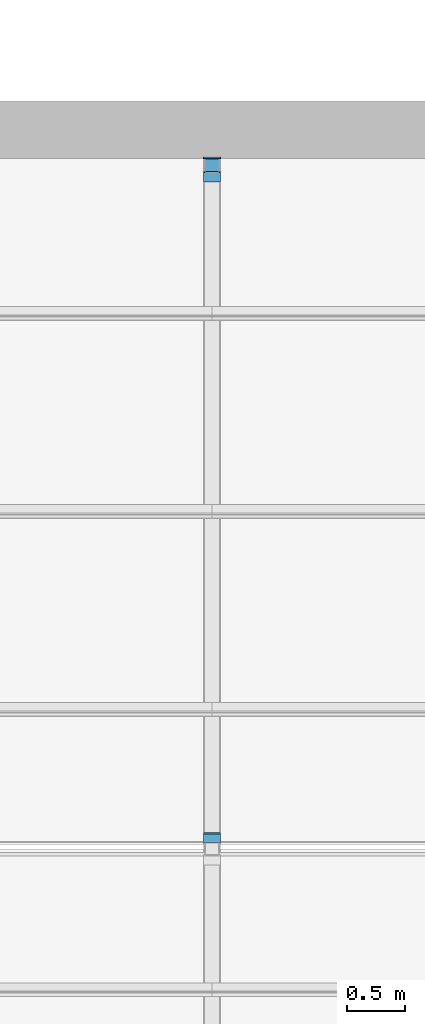
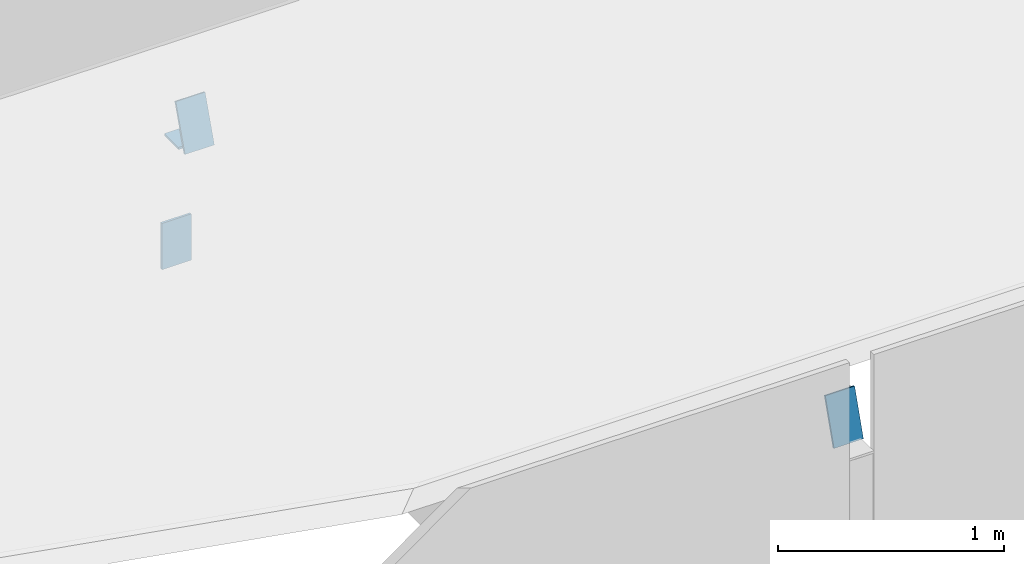
# One storey, part 87 of 118: 4 discrete accessories.
"""IFC4 building model written with IfcOpenShell, lengths in metres."""

from ifc_helpers import new_model, si_unit, direction, frame, origin, origin_2d, place, context, subcontext, project, spatial, rectangle, extrude, material, material_profile, profile_set, type_object, element, save


model = new_model("IFC4")

# Units and contexts
model_context = context("Model", 3, precision=1e-05, world=origin(), true_north=direction((0.0, 1.0)))
body_context = subcontext(model_context, "Body", "Model", "MODEL_VIEW")
ifc_project = project(units=[si_unit("LENGTHUNIT", "METRE"), si_unit("AREAUNIT", "SQUARE_METRE"), si_unit("VOLUMEUNIT", "CUBIC_METRE"), si_unit("PLANEANGLEUNIT", "RADIAN"), si_unit("MASSUNIT", "GRAM", prefix="KILO")], contexts=[model_context])

# Site, building, storey
site_placement = place(None, origin())
site = spatial("IfcSite", under=ifc_project, at=site_placement, CompositionType="ELEMENT")
building_placement = place(site_placement, origin())
building = spatial("IfcBuilding", under=site, at=building_placement, Name="Saffron Lane Theatres", CompositionType="ELEMENT")
storey_placement = place(building_placement, frame((0.0, 0.0, 16.5)))
storey = spatial("IfcBuildingStorey", under=building, at=storey_placement, Name="L03", CompositionType="ELEMENT", Elevation=16.5)

# Discrete accessories
ifc_material_1 = material(Name="Steel Grade 350", Category="steel")
ifc_material_profile_1 = material_profile(ifc_material_1, rectangle(XDim=0.125, YDim=0.125, at=origin_2d()))
ifc_profile_set_1 = profile_set([ifc_material_profile_1], Name="Steel Grade 350")
discrete_accessory_type_1 = type_object("IfcDiscreteAccessoryType", Name="ST-STEEL END CAP 125x125x6 SHS", PredefinedType="ANCHORPLATE", material=ifc_profile_set_1)
discrete_accessory_1_placement = place(storey_placement, frame((30.0, 29.9375, 0.720703125), z_axis=(0.0, 0.0, 1.0), x_axis=(1.0, 0.0, 0.0)))
element("IfcDiscreteAccessory", 1, at=discrete_accessory_1_placement, inside=storey, type_object=discrete_accessory_type_1, Name="EC245", PredefinedType="ANCHORPLATE", context=body_context, shape_type="SweptSolid", body=[
    extrude(rectangle(XDim=0.125, YDim=0.125, at=origin_2d()), origin(), (0.0, 0.0, 1.0), 0.011962890625),
])
ifc_material_2 = material(Name="Steel Grade 350", Category="steel")
ifc_material_profile_2 = material_profile(ifc_material_2, rectangle(XDim=0.14990234375, YDim=0.25, at=origin_2d()))
ifc_profile_set_2 = profile_set([ifc_material_profile_2], Name="Steel Grade 350")
discrete_accessory_type_2 = type_object("IfcDiscreteAccessoryType", Name="ST-STEEL END CAP 250x150x9 RHS", PredefinedType="ANCHORPLATE", material=ifc_profile_set_2)
discrete_accessory_2_placement = place(storey_placement, frame((30.0, 30.0, 0.125), z_axis=(0.0, 1.0, 0.0), x_axis=(-1.0, 0.0, 0.0)))
element("IfcDiscreteAccessory", 2, at=discrete_accessory_2_placement, inside=storey, type_object=discrete_accessory_type_2, Name="EC240", PredefinedType="ANCHORPLATE", context=body_context, shape_type="SweptSolid", body=[
    extrude(rectangle(XDim=0.14990234375, YDim=0.25, at=origin_2d()), origin(), (0.0, 0.0, 1.0), 0.011962890625),
])
discrete_accessory_3_placement = place(storey_placement, frame((30.0, 24.09033203125, 2.76123046875), z_axis=(0.0, 0.950729839481, -0.310020599831), x_axis=(-1.0, 0.0, 0.0)))
element("IfcDiscreteAccessory", 3, at=discrete_accessory_3_placement, inside=storey, type_object=discrete_accessory_type_2, Name="EC246", PredefinedType="ANCHORPLATE", context=body_context, shape_type="SweptSolid", body=[
    extrude(rectangle(XDim=0.14990234375, YDim=0.25, at=origin_2d()), origin(), (0.0, 0.0, 1.0), 0.01171875),
])
discrete_accessory_4_placement = place(storey_placement, frame((30.0, 29.8359375, 0.865234375), z_axis=(0.0, 0.944496796706, -0.328520624941), x_axis=(-1.0, 0.0, 0.0)))
element("IfcDiscreteAccessory", 4, at=discrete_accessory_4_placement, inside=storey, type_object=discrete_accessory_type_2, Name="EC247", PredefinedType="ANCHORPLATE", context=body_context, shape_type="SweptSolid", body=[
    extrude(rectangle(XDim=0.14990234375, YDim=0.25, at=origin_2d()), origin(), (0.0, 0.0, 1.0), 0.011962890625),
])

save(model, "model.ifc")
